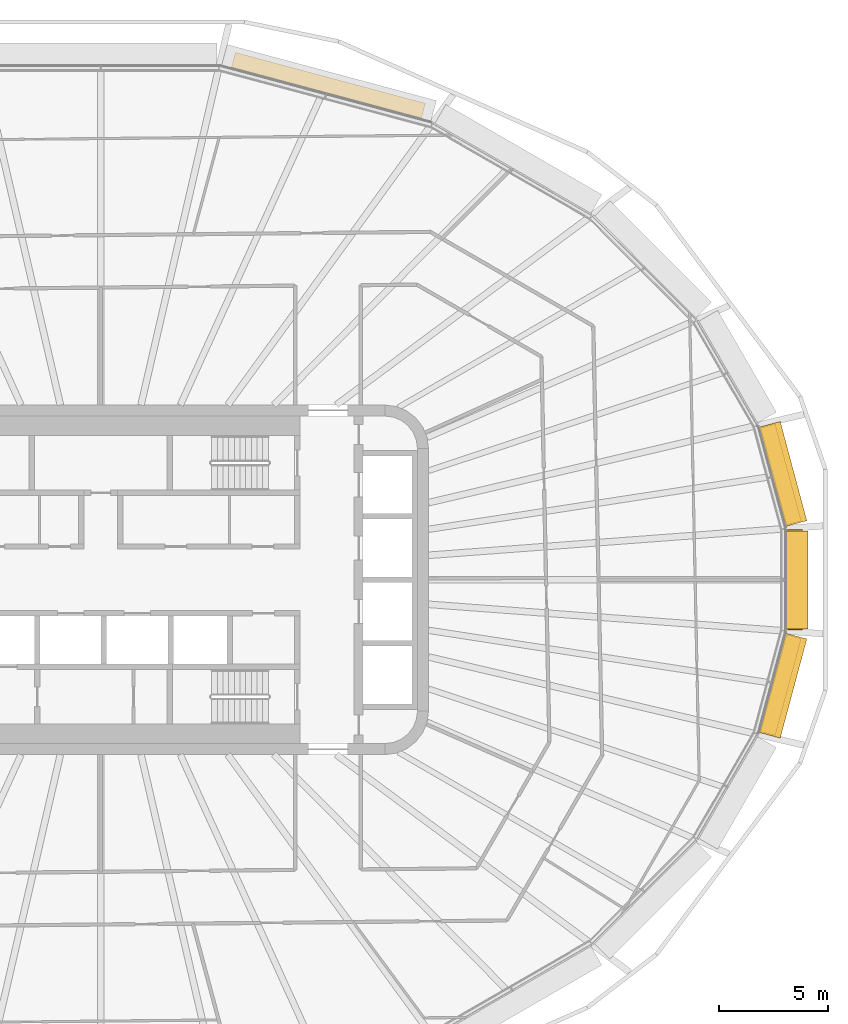
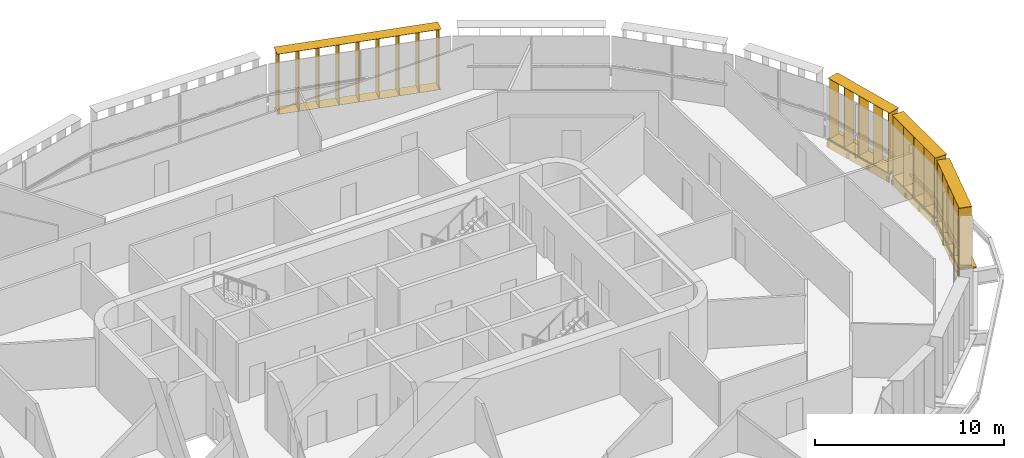
# One storey, part 23 of 23: 7 shading devices.
"""IFC4 building model written with IfcOpenShell, lengths in metres."""

from ifc_helpers import new_model, si_unit, direction, frame, origin, origin_2d, place, context, subcontext, project, spatial, rectangle, extrude, material, type_object, element, save


model = new_model("IFC4")

# Units and contexts
model_context = context("Model", 3, precision=1e-05, world=origin(), true_north=direction((0.0, 1.0)))
body_context = subcontext(model_context, "Body", "Model", "MODEL_VIEW")
ifc_project = project(units=[si_unit("LENGTHUNIT", "METRE"), si_unit("AREAUNIT", "SQUARE_METRE"), si_unit("VOLUMEUNIT", "CUBIC_METRE"), si_unit("PLANEANGLEUNIT", "RADIAN"), si_unit("MASSUNIT", "GRAM", prefix="KILO")], contexts=[model_context])

# Site, building, storey
site_placement = place(None, origin())
site = spatial("IfcSite", under=ifc_project, at=site_placement, CompositionType="ELEMENT")
building_placement = place(site_placement, origin())
building = spatial("IfcBuilding", under=site, at=building_placement, Name="Sahrelin Media Tower", CompositionType="ELEMENT")
storey_placement = place(building_placement, frame((0.0, 0.0, 161.60009765625)))
storey = spatial("IfcBuildingStorey", under=building, at=storey_placement, Name="L33", CompositionType="ELEMENT", Elevation=161.60009765625)

# Shading devices
ifc_material = material(Name="Champagne anodised aluminium 6063-T6", Category="aluminium")
shading_device_type_1 = type_object("IfcShadingDeviceType", Name="Fin cassette", PredefinedType="USERDEFINED", material=ifc_material)
placement_1 = place(storey_placement, frame((31.3515625, 0.0, 0.0), z_axis=(0.0, 0.0, 1.0), x_axis=(0.0, -1.0, 0.0)))
element("IfcShadingDevice", 1, at=placement_1, inside=storey, type_object=shading_device_type_1, Name="L33:FIN:L33-00", ObjectType="FIN", PredefinedType="USERDEFINED", context=body_context, shape_type="SweptSolid", body=[
    extrude(rectangle(XDim=4.60009765625, YDim=0.699951171875, at=origin_2d()), frame((0.0, 0.419921875, 0.0)), (0.0, 0.0, 1.0), 0.02001953125),
    extrude(rectangle(XDim=4.60009765625, YDim=0.699951171875, at=origin_2d()), frame((0.0, 0.419921875, 3.89990234375)), (0.0, 0.0, 1.0), 0.02001953125),
    extrude(rectangle(XDim=0.02001953125, YDim=0.699951171875, at=origin_2d()), frame((-2.199951171875, 0.419921875, 0.010009765625), z_axis=(0.0, 0.0, 1.0), x_axis=(1.0, 0.0, 0.0)), (0.0, 0.0, 1.0), 3.89990234375),
    extrude(rectangle(XDim=0.02001953125, YDim=0.699951171875, at=origin_2d()), frame((-1.10009765625, 0.419921875, 0.010009765625), z_axis=(0.0, 0.0, 1.0), x_axis=(1.0, 0.0, 0.0)), (0.0, 0.0, 1.0), 3.89990234375),
    extrude(rectangle(XDim=0.02001953125, YDim=0.699951171875, at=origin_2d()), frame((0.0, 0.419921875, 0.010009765625), z_axis=(0.0, 0.0, 1.0), x_axis=(1.0, 0.0, 0.0)), (0.0, 0.0, 1.0), 3.89990234375),
    extrude(rectangle(XDim=0.02001953125, YDim=0.699951171875, at=origin_2d()), frame((1.10009765625, 0.419921875, 0.010009765625), z_axis=(0.0, 0.0, 1.0), x_axis=(1.0, 0.0, 0.0)), (0.0, 0.0, 1.0), 3.89990234375),
    extrude(rectangle(XDim=0.02001953125, YDim=0.699951171875, at=origin_2d()), frame((2.199951171875, 0.419921875, 0.010009765625), z_axis=(0.0, 0.0, 1.0), x_axis=(1.0, 0.0, 0.0)), (0.0, 0.0, 1.0), 3.89990234375),
])
placement_2 = place(storey_placement, frame((30.71728515625, 4.709716796875, 0.0), z_axis=(0.0, 0.0, 1.0), x_axis=(0.258807731996, -0.965928857556, 0.0)))
element("IfcShadingDevice", 2, at=placement_2, inside=storey, type_object=shading_device_type_1, Name="L33:FIN:L33-01", ObjectType="FIN", PredefinedType="USERDEFINED", context=body_context, shape_type="SweptSolid", body=[
    extrude(rectangle(XDim=4.60009765625, YDim=0.699951171875, at=origin_2d()), frame((0.0, 0.419921875, 0.0)), (0.0, 0.0, 1.0), 0.02001953125),
    extrude(rectangle(XDim=4.60009765625, YDim=0.699951171875, at=origin_2d()), frame((0.0, 0.419921875, 3.89990234375)), (0.0, 0.0, 1.0), 0.02001953125),
    extrude(rectangle(XDim=0.02001953125, YDim=0.699951171875, at=origin_2d()), frame((-2.199951171875, 0.419921875, 0.010009765625), z_axis=(0.0, 0.0, 1.0), x_axis=(1.0, 0.0, 0.0)), (0.0, 0.0, 1.0), 3.89990234375),
    extrude(rectangle(XDim=0.02001953125, YDim=0.699951171875, at=origin_2d()), frame((-1.10009765625, 0.419921875, 0.010009765625), z_axis=(0.0, 0.0, 1.0), x_axis=(1.0, 0.0, 0.0)), (0.0, 0.0, 1.0), 3.89990234375),
    extrude(rectangle(XDim=0.02001953125, YDim=0.699951171875, at=origin_2d()), frame((0.0, 0.419921875, 0.010009765625), z_axis=(0.0, 0.0, 1.0), x_axis=(1.0, 0.0, 0.0)), (0.0, 0.0, 1.0), 3.89990234375),
    extrude(rectangle(XDim=0.02001953125, YDim=0.699951171875, at=origin_2d()), frame((1.10009765625, 0.419921875, 0.010009765625), z_axis=(0.0, 0.0, 1.0), x_axis=(1.0, 0.0, 0.0)), (0.0, 0.0, 1.0), 3.89990234375),
    extrude(rectangle(XDim=0.02001953125, YDim=0.699951171875, at=origin_2d()), frame((2.199951171875, 0.419921875, 0.010009765625), z_axis=(0.0, 0.0, 1.0), x_axis=(1.0, 0.0, 0.0)), (0.0, 0.0, 1.0), 3.89990234375),
])
shading_device_3_placement = place(storey_placement, frame((10.312255859375, 22.2236328125, 0.0), z_axis=(0.0, 0.0, 1.0), x_axis=(0.965928857556, -0.258807731996, 0.0)))
element("IfcShadingDevice", 3, at=shading_device_3_placement, inside=storey, type_object=shading_device_type_1, Name="L33:FIN:L33-05", ObjectType="FIN", PredefinedType="USERDEFINED", context=body_context, shape_type="SweptSolid", body=[
    extrude(rectangle(XDim=9.0, YDim=0.699951171875, at=origin_2d()), frame((0.0, 0.419921875, 0.0)), (0.0, 0.0, 1.0), 0.02001953125),
    extrude(rectangle(XDim=9.0, YDim=0.699951171875, at=origin_2d()), frame((0.0, 0.419921875, 3.89990234375)), (0.0, 0.0, 1.0), 0.02001953125),
    extrude(rectangle(XDim=0.02001953125, YDim=0.699951171875, at=origin_2d()), frame((-4.39990234375, 0.419921875, 0.010009765625), z_axis=(0.0, 0.0, 1.0), x_axis=(1.0, 0.0, 0.0)), (0.0, 0.0, 1.0), 3.89990234375),
    extrude(rectangle(XDim=0.02001953125, YDim=0.699951171875, at=origin_2d()), frame((-3.300048828125, 0.419921875, 0.010009765625), z_axis=(0.0, 0.0, 1.0), x_axis=(1.0, 0.0, 0.0)), (0.0, 0.0, 1.0), 3.89990234375),
    extrude(rectangle(XDim=0.02001953125, YDim=0.699951171875, at=origin_2d()), frame((-2.199951171875, 0.419921875, 0.010009765625), z_axis=(0.0, 0.0, 1.0), x_axis=(1.0, 0.0, 0.0)), (0.0, 0.0, 1.0), 3.89990234375),
    extrude(rectangle(XDim=0.02001953125, YDim=0.699951171875, at=origin_2d()), frame((-1.10009765625, 0.419921875, 0.010009765625), z_axis=(0.0, 0.0, 1.0), x_axis=(1.0, 0.0, 0.0)), (0.0, 0.0, 1.0), 3.89990234375),
    extrude(rectangle(XDim=0.02001953125, YDim=0.699951171875, at=origin_2d()), frame((0.0, 0.419921875, 0.010009765625), z_axis=(0.0, 0.0, 1.0), x_axis=(1.0, 0.0, 0.0)), (0.0, 0.0, 1.0), 3.89990234375),
    extrude(rectangle(XDim=0.02001953125, YDim=0.699951171875, at=origin_2d()), frame((1.10009765625, 0.419921875, 0.010009765625), z_axis=(0.0, 0.0, 1.0), x_axis=(1.0, 0.0, 0.0)), (0.0, 0.0, 1.0), 3.89990234375),
    extrude(rectangle(XDim=0.02001953125, YDim=0.699951171875, at=origin_2d()), frame((2.199951171875, 0.419921875, 0.010009765625), z_axis=(0.0, 0.0, 1.0), x_axis=(1.0, 0.0, 0.0)), (0.0, 0.0, 1.0), 3.89990234375),
    extrude(rectangle(XDim=0.02001953125, YDim=0.699951171875, at=origin_2d()), frame((3.300048828125, 0.419921875, 0.010009765625), z_axis=(0.0, 0.0, 1.0), x_axis=(1.0, 0.0, 0.0)), (0.0, 0.0, 1.0), 3.89990234375),
    extrude(rectangle(XDim=0.02001953125, YDim=0.699951171875, at=origin_2d()), frame((4.39990234375, 0.419921875, 0.010009765625), z_axis=(0.0, 0.0, 1.0), x_axis=(1.0, 0.0, 0.0)), (0.0, 0.0, 1.0), 3.89990234375),
])
placement_3 = place(storey_placement, frame((30.71728515625, -4.709716796875, 0.0), z_axis=(0.0, 0.0, 1.0), x_axis=(-0.258807731996, -0.965928857556, 0.0)))
element("IfcShadingDevice", 4, at=placement_3, inside=storey, type_object=shading_device_type_1, Name="L33:FIN:L33-23", ObjectType="FIN", PredefinedType="USERDEFINED", context=body_context, shape_type="SweptSolid", body=[
    extrude(rectangle(XDim=4.60009765625, YDim=0.699951171875, at=origin_2d()), frame((0.0, 0.419921875, 0.0)), (0.0, 0.0, 1.0), 0.02001953125),
    extrude(rectangle(XDim=4.60009765625, YDim=0.699951171875, at=origin_2d()), frame((0.0, 0.419921875, 3.89990234375)), (0.0, 0.0, 1.0), 0.02001953125),
    extrude(rectangle(XDim=0.02001953125, YDim=0.699951171875, at=origin_2d()), frame((-2.199951171875, 0.419921875, 0.010009765625), z_axis=(0.0, 0.0, 1.0), x_axis=(1.0, 0.0, 0.0)), (0.0, 0.0, 1.0), 3.89990234375),
    extrude(rectangle(XDim=0.02001953125, YDim=0.699951171875, at=origin_2d()), frame((-1.10009765625, 0.419921875, 0.010009765625), z_axis=(0.0, 0.0, 1.0), x_axis=(1.0, 0.0, 0.0)), (0.0, 0.0, 1.0), 3.89990234375),
    extrude(rectangle(XDim=0.02001953125, YDim=0.699951171875, at=origin_2d()), frame((0.0, 0.419921875, 0.010009765625), z_axis=(0.0, 0.0, 1.0), x_axis=(1.0, 0.0, 0.0)), (0.0, 0.0, 1.0), 3.89990234375),
    extrude(rectangle(XDim=0.02001953125, YDim=0.699951171875, at=origin_2d()), frame((1.10009765625, 0.419921875, 0.010009765625), z_axis=(0.0, 0.0, 1.0), x_axis=(1.0, 0.0, 0.0)), (0.0, 0.0, 1.0), 3.89990234375),
    extrude(rectangle(XDim=0.02001953125, YDim=0.699951171875, at=origin_2d()), frame((2.199951171875, 0.419921875, 0.010009765625), z_axis=(0.0, 0.0, 1.0), x_axis=(1.0, 0.0, 0.0)), (0.0, 0.0, 1.0), 3.89990234375),
])
shading_device_type_2 = type_object("IfcShadingDeviceType", Name="Sunshade band", PredefinedType="USERDEFINED", material=ifc_material)
element("IfcShadingDevice", 5, at=placement_1, inside=storey, type_object=shading_device_type_2, Name="L33:SUN:L33-00", ObjectType="SUNSHADE", PredefinedType="USERDEFINED", context=body_context, shape_type="SweptSolid", body=[
    extrude(rectangle(XDim=4.486083984375, YDim=0.050048828125, at=origin_2d()), frame((0.0, 0.044921875, -0.55126953125)), (0.0, 0.0, 1.0), 0.471435546875),
    extrude(rectangle(XDim=4.486083984375, YDim=1.0, at=origin_2d()), frame((0.0, 0.52001953125, -0.080078125)), (0.0, 0.0, 1.0), 0.080078125),
    extrude(rectangle(XDim=0.10009765625, YDim=0.074951171875, at=origin_2d()), frame((-2.14306640625, -0.017578125, -0.47021484375)), (0.0, 0.0, 1.0), 0.300048828125),
    extrude(rectangle(XDim=0.10009765625, YDim=0.074951171875, at=origin_2d()), frame((-0.71435546875, -0.017578125, -0.47021484375)), (0.0, 0.0, 1.0), 0.300048828125),
    extrude(rectangle(XDim=0.10009765625, YDim=0.074951171875, at=origin_2d()), frame((0.71435546875, -0.017578125, -0.47021484375)), (0.0, 0.0, 1.0), 0.300048828125),
    extrude(rectangle(XDim=0.10009765625, YDim=0.074951171875, at=origin_2d()), frame((2.14306640625, -0.017578125, -0.47021484375)), (0.0, 0.0, 1.0), 0.300048828125),
])
element("IfcShadingDevice", 6, at=placement_2, inside=storey, type_object=shading_device_type_2, Name="L33:SUN:L33-01", ObjectType="SUNSHADE", PredefinedType="USERDEFINED", context=body_context, shape_type="SweptSolid", body=[
    extrude(rectangle(XDim=4.70068359375, YDim=0.050048828125, at=origin_2d()), frame((0.0, 0.044921875, -0.55126953125)), (0.0, 0.0, 1.0), 0.471435546875),
    extrude(rectangle(XDim=4.70068359375, YDim=1.0, at=origin_2d()), frame((0.0, 0.52001953125, -0.080078125)), (0.0, 0.0, 1.0), 0.080078125),
    extrude(rectangle(XDim=0.10009765625, YDim=0.074951171875, at=origin_2d()), frame((-2.250244140625, -0.017578125, -0.47021484375)), (0.0, 0.0, 1.0), 0.300048828125),
    extrude(rectangle(XDim=0.10009765625, YDim=0.074951171875, at=origin_2d()), frame((-0.75, -0.017578125, -0.47021484375)), (0.0, 0.0, 1.0), 0.300048828125),
    extrude(rectangle(XDim=0.10009765625, YDim=0.074951171875, at=origin_2d()), frame((0.75, -0.017578125, -0.47021484375)), (0.0, 0.0, 1.0), 0.300048828125),
    extrude(rectangle(XDim=0.10009765625, YDim=0.074951171875, at=origin_2d()), frame((2.250244140625, -0.017578125, -0.47021484375)), (0.0, 0.0, 1.0), 0.300048828125),
])
element("IfcShadingDevice", 7, at=placement_3, inside=storey, type_object=shading_device_type_2, Name="L33:SUN:L33-23", ObjectType="SUNSHADE", PredefinedType="USERDEFINED", context=body_context, shape_type="SweptSolid", body=[
    extrude(rectangle(XDim=4.70068359375, YDim=0.050048828125, at=origin_2d()), frame((0.0, 0.044921875, -0.55126953125)), (0.0, 0.0, 1.0), 0.471435546875),
    extrude(rectangle(XDim=4.70068359375, YDim=1.0, at=origin_2d()), frame((0.0, 0.52001953125, -0.080078125)), (0.0, 0.0, 1.0), 0.080078125),
    extrude(rectangle(XDim=0.10009765625, YDim=0.074951171875, at=origin_2d()), frame((-2.250244140625, -0.017578125, -0.47021484375)), (0.0, 0.0, 1.0), 0.300048828125),
    extrude(rectangle(XDim=0.10009765625, YDim=0.074951171875, at=origin_2d()), frame((-0.75, -0.017578125, -0.47021484375)), (0.0, 0.0, 1.0), 0.300048828125),
    extrude(rectangle(XDim=0.10009765625, YDim=0.074951171875, at=origin_2d()), frame((0.75, -0.017578125, -0.47021484375)), (0.0, 0.0, 1.0), 0.300048828125),
    extrude(rectangle(XDim=0.10009765625, YDim=0.074951171875, at=origin_2d()), frame((2.250244140625, -0.017578125, -0.47021484375)), (0.0, 0.0, 1.0), 0.300048828125),
])

save(model, "model.ifc")
